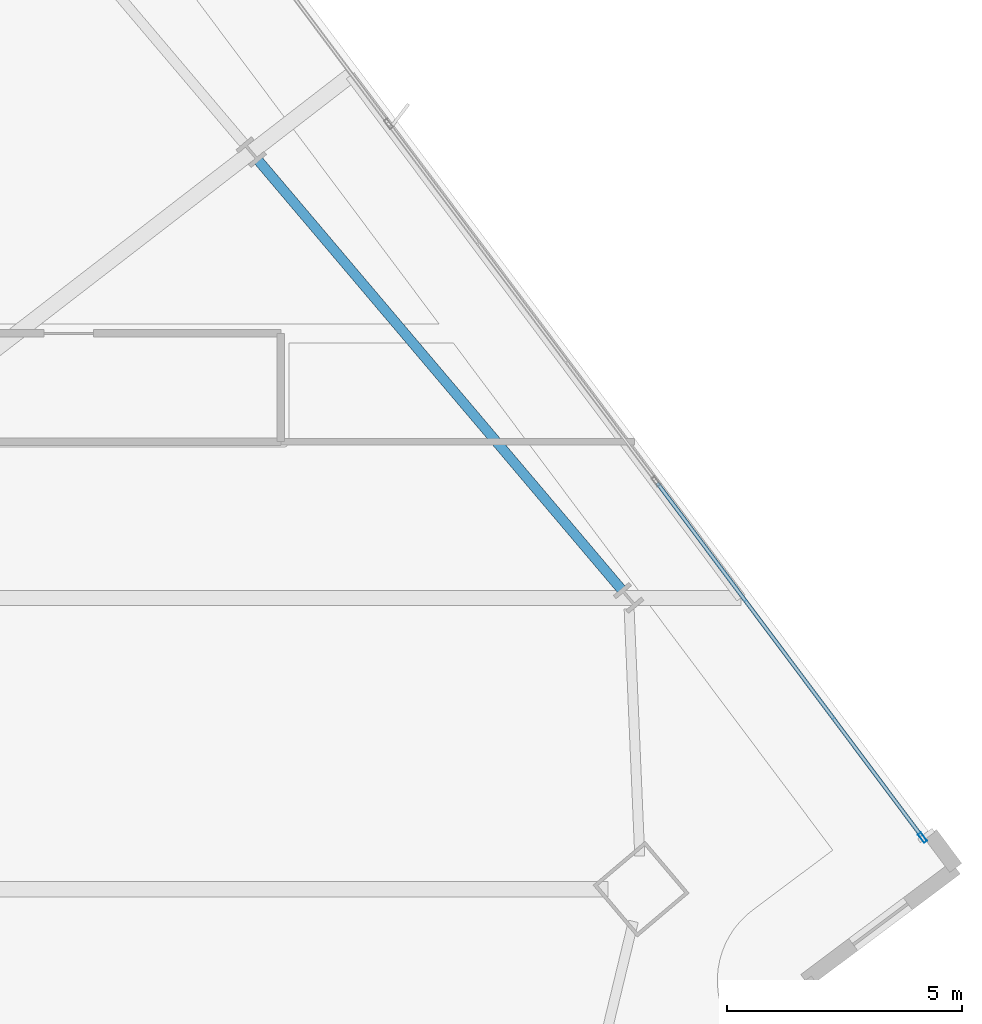
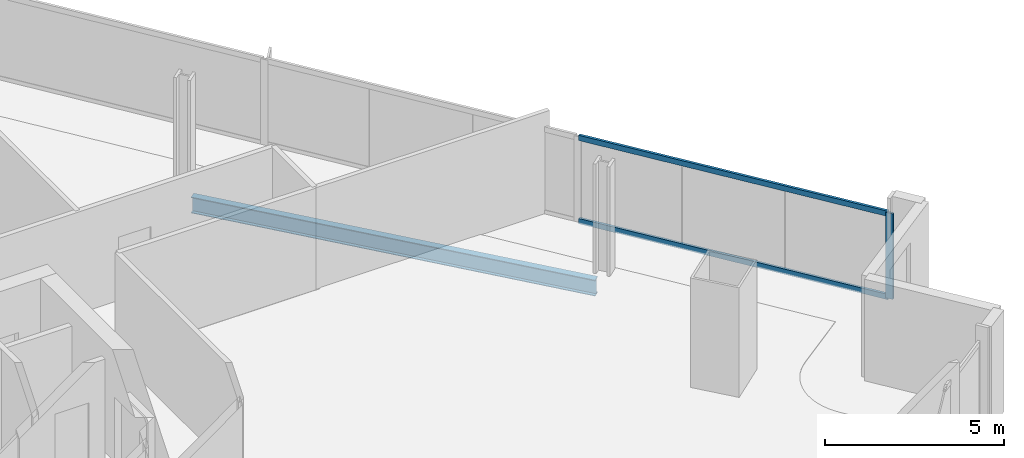
# One storey, part 17 of 32: 3 members, 1 beam, 1 element without a shape of its own.
"""IFC4 building model written with IfcOpenShell, lengths in metres."""

from ifc_helpers import new_model, si_unit, direction, frame, origin, origin_2d, place, context, subcontext, project, spatial, hollow_rectangle, i_section, extrude, material, material_profile, profile_set, type_object, element, aggregate, save


model = new_model("IFC4")

# Units and contexts
model_context = context("Model", 3, precision=1e-05, world=origin(), true_north=direction((0.0, 1.0)))
body_context = subcontext(model_context, "Body", "Model", "MODEL_VIEW")
ifc_project = project(units=[si_unit("LENGTHUNIT", "METRE"), si_unit("AREAUNIT", "SQUARE_METRE"), si_unit("VOLUMEUNIT", "CUBIC_METRE"), si_unit("PLANEANGLEUNIT", "RADIAN"), si_unit("MASSUNIT", "GRAM", prefix="KILO")], contexts=[model_context])

# Site, building, storey
site_placement = place(None, origin())
site = spatial("IfcSite", under=ifc_project, at=site_placement, CompositionType="ELEMENT")
building_placement = place(site_placement, origin())
building = spatial("IfcBuilding", under=site, at=building_placement, Name="Haldenkirk Collegiate Tower", CompositionType="ELEMENT")
storey_placement = place(building_placement, frame((0.0, 0.0, 151.949951171875)))
storey = spatial("IfcBuildingStorey", under=building, at=storey_placement, Name="L37", CompositionType="ELEMENT", Elevation=151.949951171875)

# Beam
ifc_material_1 = material(Name="Steel ASTM A992 Grade 50", Category="steel")
ifc_material_profile_1 = material_profile(ifc_material_1, i_section(OverallWidth=0.2119140625, OverallDepth=0.5439453125, WebThickness=0.01318359375, FlangeThickness=0.021240234375, at=origin_2d()), Name="W21X83")
ifc_profile_set_1 = profile_set([ifc_material_profile_1], Name="Steel ASTM A992 Grade 50")
beam_type = type_object("IfcBeamType", Name="BM-SPANDREL-W21X83", PredefinedType="SPANDREL", material=ifc_profile_set_1)
beam_placement = place(storey_placement, frame((61.051513671875, 30.998779296875, -0.56201171875), z_axis=(-0.646116898468, 0.763238464383, 0.0), x_axis=(-0.763238464383, -0.646116898468, 0.0)))
element("IfcBeam", 1, at=beam_placement, inside=storey, type_object=beam_type, Name="L37 perimeter spandrel beam 06", PredefinedType="SPANDREL", context=body_context, shape_type="SweptSolid", body=[
    extrude(i_section(OverallWidth=0.2119140625, OverallDepth=0.5439453125, WebThickness=0.01318359375, FlangeThickness=0.021240234375, at=origin_2d()), origin(), (0.0, 0.0, 1.0), 11.967041015625),
])

# Curtain wall, members
ifc_material_2 = material(Name="Anodised architectural bronze aluminium", Category="aluminium")
curtain_wall_type = type_object("IfcCurtainWallType", Name="CW-SYS1-CONVEX-LOW", PredefinedType="USERDEFINED", material=ifc_material_2)
curtain_wall_placement = place(storey_placement, origin())
curtain_wall = element("IfcCurtainWall", 2, at=curtain_wall_placement, inside=storey, type_object=curtain_wall_type, Name="L37 Lower tower convex bronze-framed unitised curtain wall", ObjectType="UNITISED CURTAIN WALL", PredefinedType="USERDEFINED")
ifc_material_profile_2 = material_profile(ifc_material_2, hollow_rectangle(XDim=0.080078125, YDim=0.219970703125, WallThickness=0.0048828125, at=origin_2d()), Name="CW-MUL-1A")
ifc_profile_set_2 = profile_set([ifc_material_profile_2], Name="Anodised architectural bronze aluminium")
member_type_1 = type_object("IfcMemberType", Name="CW-MUL-1A", PredefinedType="MULLION", material=ifc_profile_set_2)
member_1_placement = place(storey_placement, frame((67.45166015625, 25.725830078125, 0.0), z_axis=(0.0, 0.0, 1.0), x_axis=(0.800730460187, 0.599024815954, 0.0)))
member_1 = element("IfcMember", 3, at=member_1_placement, type_object=member_type_1, Name="CW-1A mullion 5", PredefinedType="MULLION", context=body_context, shape_type="SweptSolid", body=[
    extrude(hollow_rectangle(XDim=0.080078125, YDim=0.219970703125, WallThickness=0.0048828125, at=origin_2d()), origin(), (0.0, 0.0, 1.0), 2.9111328125),
])
ifc_material_profile_3 = material_profile(ifc_material_2, hollow_rectangle(XDim=0.080078125, YDim=0.179931640625, WallThickness=0.0048828125, at=origin_2d()), Name="CW-TRN-1A")
ifc_profile_set_3 = profile_set([ifc_material_profile_3], Name="Anodised architectural bronze aluminium")
member_type_2 = type_object("IfcMemberType", Name="CW-TRN-1A", PredefinedType="USERDEFINED", material=ifc_profile_set_3)
member_2_placement = place(storey_placement, frame((61.808837890625, 33.2685546875, 0.0400390625), z_axis=(0.599033404718, -0.800724034879, 0.0), x_axis=(0.800724034879, 0.599033404718, 0.0)))
member_2 = element("IfcMember", 4, at=member_2_placement, type_object=member_type_2, Name="CW-1A transom 4.1", ObjectType="TRANSOM", PredefinedType="USERDEFINED", context=body_context, shape_type="SweptSolid", body=[
    extrude(hollow_rectangle(XDim=0.080078125, YDim=0.179931640625, WallThickness=0.0048828125, at=origin_2d()), origin(), (0.0, 0.0, 1.0), 9.3798828125),
])
member_3_placement = place(storey_placement, frame((61.808837890625, 33.2685546875, 2.87109375), z_axis=(0.599033404718, -0.800724034879, 0.0), x_axis=(0.800724034879, 0.599033404718, 0.0)))
member_3 = element("IfcMember", 5, at=member_3_placement, type_object=member_type_2, Name="CW-1A transom 4.2", ObjectType="TRANSOM", PredefinedType="USERDEFINED", context=body_context, shape_type="SweptSolid", body=[
    extrude(hollow_rectangle(XDim=0.080078125, YDim=0.179931640625, WallThickness=0.0048828125, at=origin_2d()), origin(), (0.0, 0.0, 1.0), 9.3798828125),
])
aggregate(curtain_wall, [member_1, member_2, member_3])

save(model, "model.ifc")
